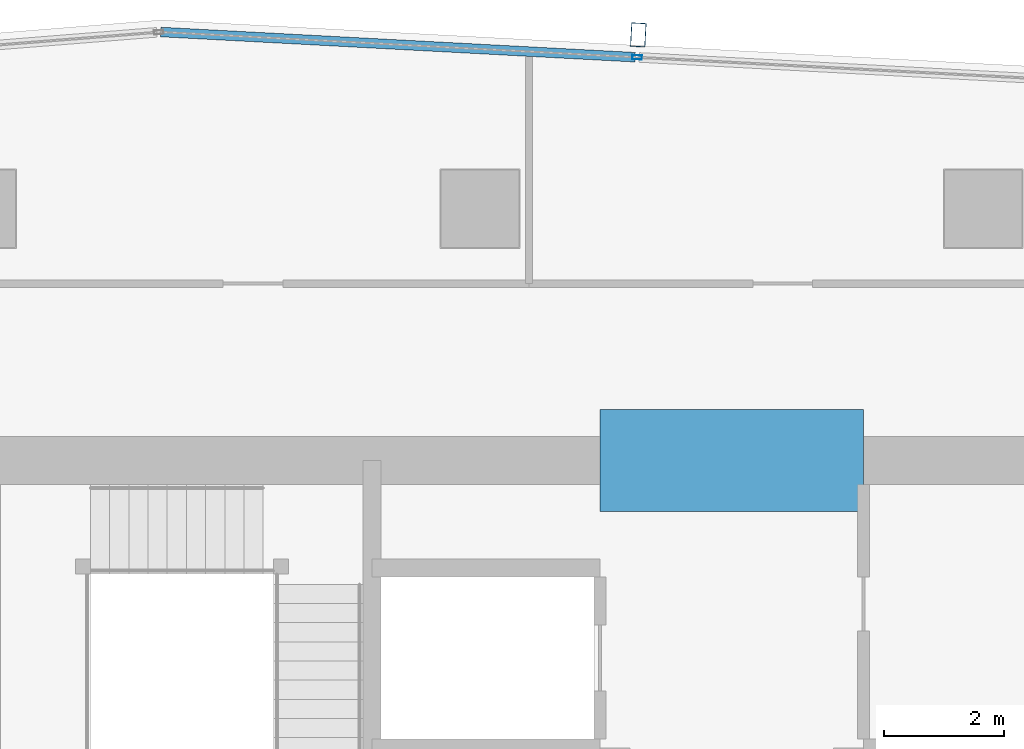
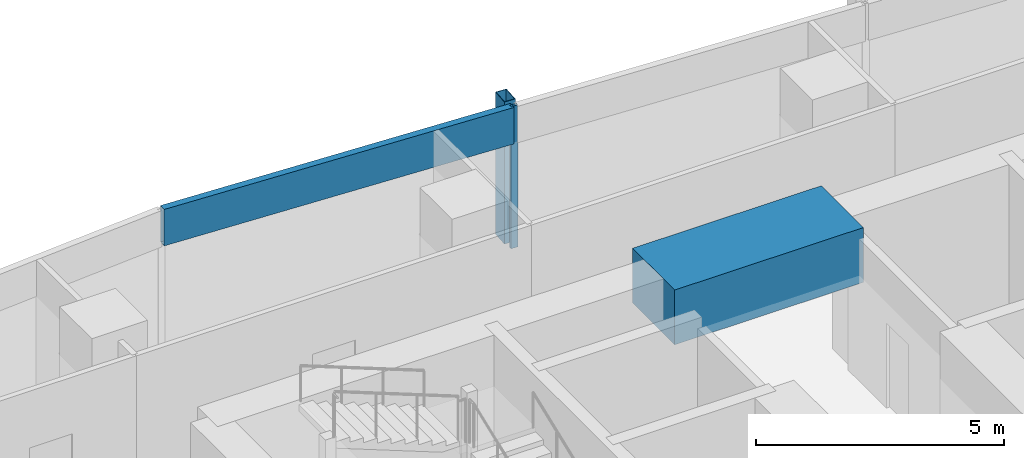
# One storey, part 15 of 28: 3 members, 1 beam, 1 element without a shape of its own.
"""IFC4 building model written with IfcOpenShell, lengths in metres."""

from ifc_helpers import new_model, si_unit, direction, frame, origin, origin_2d, place, context, subcontext, project, spatial, rectangle, hollow_rectangle, extrude, material, material_profile, profile_set, type_object, element, aggregate, save


model = new_model("IFC4")

# Units and contexts
model_context = context("Model", 3, precision=1e-05, world=origin(), true_north=direction((0.0, 1.0)))
body_context = subcontext(model_context, "Body", "Model", "MODEL_VIEW")
ifc_project = project(units=[si_unit("LENGTHUNIT", "METRE"), si_unit("AREAUNIT", "SQUARE_METRE"), si_unit("VOLUMEUNIT", "CUBIC_METRE"), si_unit("PLANEANGLEUNIT", "RADIAN"), si_unit("MASSUNIT", "GRAM", prefix="KILO")], contexts=[model_context])

# Site, building, storey
site_placement = place(None, origin())
site = spatial("IfcSite", under=ifc_project, at=site_placement, CompositionType="ELEMENT")
building_placement = place(site_placement, origin())
building = spatial("IfcBuilding", under=site, at=building_placement, Name="Rekha Terrace Tower", CompositionType="ELEMENT")
storey_placement = place(building_placement, frame((0.0, 0.0, 253.85009765625)))
storey = spatial("IfcBuildingStorey", under=building, at=storey_placement, Name="L64", CompositionType="ELEMENT", Elevation=253.85009765625)

# Curtain wall, members
ifc_material_1 = material(Name="Aluminium framing", Category="aluminium")
curtain_wall_type = type_object("IfcCurtainWallType", Name="CW3 north unitised glazing", PredefinedType="USERDEFINED", material=ifc_material_1)
curtain_wall_placement = place(storey_placement, origin())
curtain_wall = element("IfcCurtainWall", 1, at=curtain_wall_placement, inside=storey, type_object=curtain_wall_type, Name="CW3 unitised curtain wall", ObjectType="UNITISED CURTAIN WALL", PredefinedType="USERDEFINED")
ifc_material_2 = material(Name="Steel S355 with fluorocarbon finish", Category="steel")
ifc_material_profile_1 = material_profile(ifc_material_2, hollow_rectangle(XDim=0.25, YDim=0.39990234375, WallThickness=0.012451171875, at=origin_2d()), Name="RHS400x250x12.5")
ifc_profile_set_1 = profile_set([ifc_material_profile_1], Name="Steel S355 with fluorocarbon finish")
member_type_1 = type_object("IfcMemberType", Name="BL1 facade blade RHS 400 x 250", PredefinedType="USERDEFINED", material=ifc_profile_set_1)
member_1_placement = place(storey_placement, frame((36.24267578125, 53.301513671875, 0.0), z_axis=(0.0, 0.0, 1.0), x_axis=(-0.998590068481, 0.053083661621, 0.0)))
member_1 = element("IfcMember", 2, at=member_1_placement, type_object=member_type_1, Name="Facade blade", ObjectType="FACADE BLADE", PredefinedType="USERDEFINED", context=body_context, shape_type="SweptSolid", body=[
    extrude(hollow_rectangle(XDim=0.25, YDim=0.39990234375, WallThickness=0.012451171875, at=origin_2d()), origin(), (0.0, 0.0, 1.0), 3.5),
])
ifc_material_3 = material(Name="Aluminium mullion section", Category="aluminium")
ifc_material_profile_2 = material_profile(ifc_material_3, hollow_rectangle(XDim=0.070068359375, YDim=0.159912109375, WallThickness=0.00390625, at=origin_2d()), Name="AL RHS 70x160")
ifc_profile_set_2 = profile_set([ifc_material_profile_2], Name="Aluminium mullion section")
member_type_2 = type_object("IfcMemberType", Name="CW3 mullion RHS 70 x 160", PredefinedType="MULLION", material=ifc_profile_set_2)
member_2_placement = place(storey_placement, frame((36.22265625, 52.927001953125, 0.0), z_axis=(0.0, 0.0, 1.0), x_axis=(-0.053083275524, -0.998590089005, 0.0)))
member_2 = element("IfcMember", 3, at=member_2_placement, type_object=member_type_2, Name="CW3 mullion 4", PredefinedType="MULLION", context=body_context, shape_type="SweptSolid", body=[
    extrude(hollow_rectangle(XDim=0.070068359375, YDim=0.159912109375, WallThickness=0.00390625, at=origin_2d()), origin(), (0.0, 0.0, 1.0), 3.5),
])
ifc_material_4 = material(Name="Insulated aluminium spandrel box", Category="aluminium")
ifc_material_profile_3 = material_profile(ifc_material_4, hollow_rectangle(XDim=0.159912109375, YDim=0.89990234375, WallThickness=0.0029296875, at=origin_2d()), Name="AL SPANDREL BOX 160x900")
ifc_profile_set_3 = profile_set([ifc_material_profile_3], Name="Insulated aluminium spandrel box")
member_type_3 = type_object("IfcMemberType", Name="CW3 spandrel transom 160 x 900", PredefinedType="USERDEFINED", material=ifc_profile_set_3)
member_3_placement = place(storey_placement, frame((36.187744140625, 52.9287109375, 3.0498046875), z_axis=(-0.998589092231, 0.053102023288, 0.0), x_axis=(-0.053102023288, -0.998589092231, 0.0)))
member_3 = element("IfcMember", 4, at=member_3_placement, type_object=member_type_3, Name="CW3 spandrel transom 4", ObjectType="TRANSOM", PredefinedType="USERDEFINED", context=body_context, shape_type="SweptSolid", body=[
    extrude(hollow_rectangle(XDim=0.159912109375, YDim=0.89990234375, WallThickness=0.0029296875, at=origin_2d()), origin(), (0.0, 0.0, 1.0), 7.92626953125),
])
aggregate(curtain_wall, [member_2, member_3, member_1])

# Beam
ifc_material_5 = material(Name="Concrete M60", Category="concrete")
ifc_material_profile_4 = material_profile(ifc_material_5, rectangle(XDim=1.699951171875, YDim=1.35009765625, at=origin_2d()), Name="RC 1700x1350")
ifc_profile_set_4 = profile_set([ifc_material_profile_4], Name="Concrete M60")
beam_type = type_object("IfcBeamType", Name="LB5A 1700x1350 diagonally reinforced coupling beam", PredefinedType="LINTEL", material=ifc_profile_set_4)
beam_placement = place(storey_placement, frame((35.60009765625, 46.199951171875, 3.074951171875), z_axis=(1.0, 0.0, 0.0), x_axis=(0.0, 1.0, 0.0)))
element("IfcBeam", 5, at=beam_placement, inside=storey, type_object=beam_type, Name="Coupling beam LB5A N L64", PredefinedType="LINTEL", context=body_context, shape_type="SweptSolid", body=[
    extrude(rectangle(XDim=1.699951171875, YDim=1.35009765625, at=origin_2d()), origin(), (0.0, 0.0, 1.0), 4.39990234375),
])

save(model, "model.ifc")
